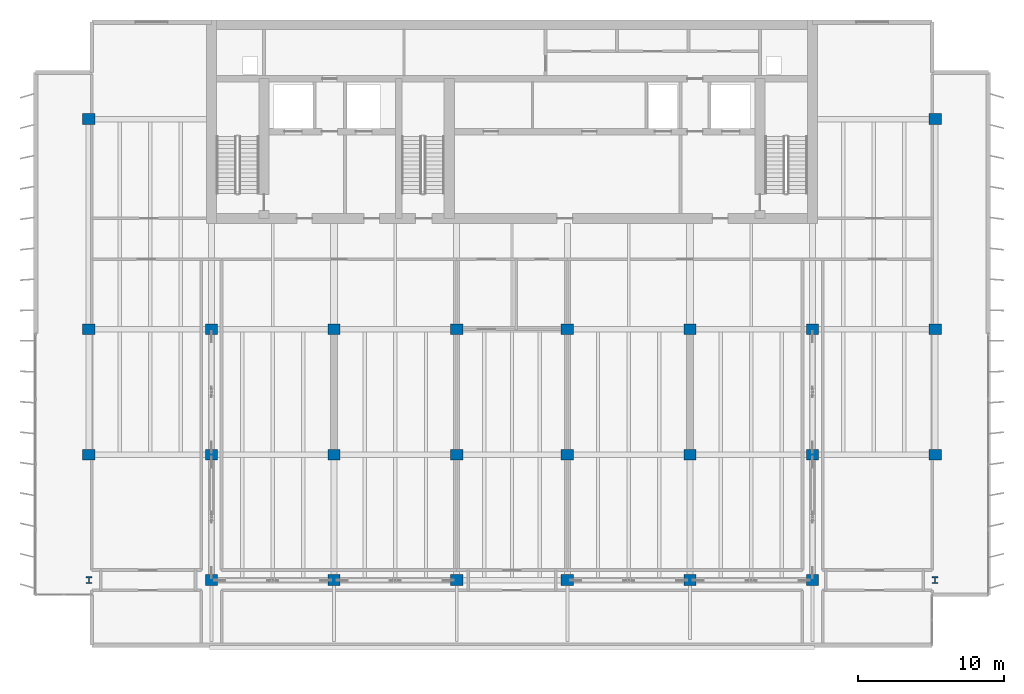
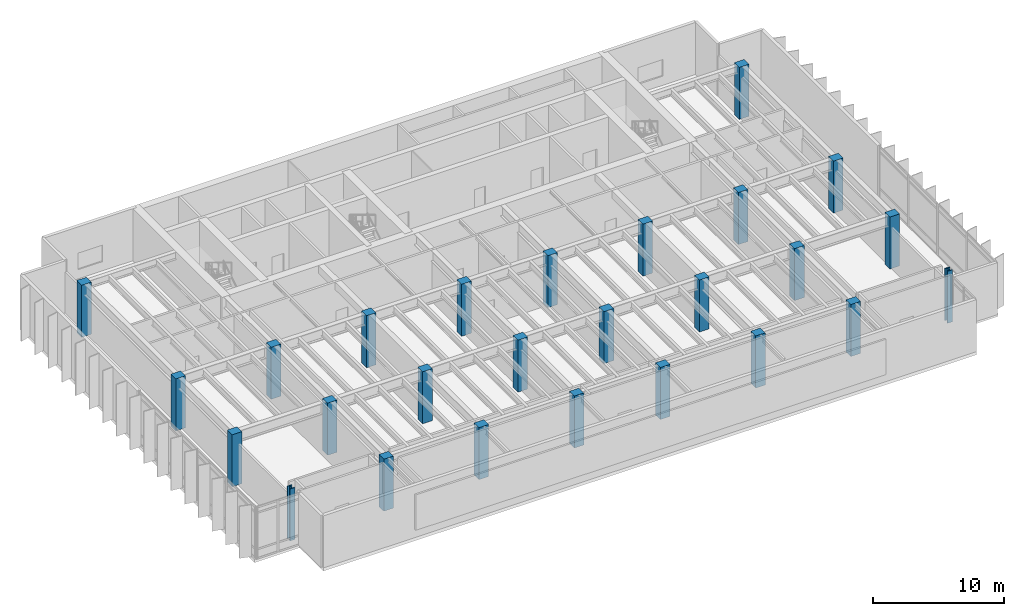
# One storey, part 1 of 23: 26 columns.
"""IFC4 building model written with IfcOpenShell, lengths in metres."""

from ifc_helpers import new_model, si_unit, direction, frame, origin, origin_2d, place, context, subcontext, project, spatial, rectangle, i_section, extrude, material, material_profile, profile_set, type_object, element, save


model = new_model("IFC4")

# Units and contexts
model_context = context("Model", 3, precision=1e-05, world=origin(), true_north=direction((0.0, 1.0)))
body_context = subcontext(model_context, "Body", "Model", "MODEL_VIEW")
ifc_project = project(units=[si_unit("LENGTHUNIT", "METRE"), si_unit("AREAUNIT", "SQUARE_METRE"), si_unit("VOLUMEUNIT", "CUBIC_METRE"), si_unit("PLANEANGLEUNIT", "RADIAN"), si_unit("MASSUNIT", "GRAM", prefix="KILO")], contexts=[model_context])

# Site, building, storey
site_placement = place(None, origin())
site = spatial("IfcSite", under=ifc_project, at=site_placement, CompositionType="ELEMENT")
building_placement = place(site_placement, origin())
building = spatial("IfcBuilding", under=site, at=building_placement, Name="Caelmar Bay Residences", CompositionType="ELEMENT")
storey_placement = place(building_placement, frame((0.0, 0.0, 221.39990234375)))
storey = spatial("IfcBuildingStorey", under=building, at=storey_placement, Name="L62", CompositionType="ELEMENT", Elevation=221.39990234375)

# Columns
ifc_material_1 = material(Name="Concrete f'c 55 MPa (8,000 psi)", Category="concrete")
ifc_material_profile_1 = material_profile(ifc_material_1, rectangle(XDim=0.85009765625, YDim=0.75, at=origin_2d()), Name="RC-COL-850X750")
ifc_profile_set_1 = profile_set([ifc_material_profile_1], Name="Concrete f'c 55 MPa (8,000 psi)")
column_type_1 = type_object("IfcColumnType", Name="COL-RC-850X750", PredefinedType="COLUMN", material=ifc_profile_set_1)
for number, where, z_axis, x_axis, name in (
    (1, (18.300048828125, 12.199951171875, 0.0), (0.0, 0.0, 1.0), (1.0, 0.0, 0.0), "L62 Column (18.30,12.20)"),
    (2, (26.699951171875, 12.199951171875, 0.0), (0.0, 0.0, 1.0), (1.0, 0.0, 0.0), "L62 Column (26.70,12.20)"),
    (3, (35.10009765625, 12.199951171875, 0.0), (0.0, 0.0, 1.0), (1.0, 0.0, 0.0), "L62 Column (35.10,12.20)"),
    (4, (42.699951171875, 12.199951171875, 0.0), (0.0, 0.0, 1.0), (1.0, 0.0, 0.0), "L62 Column (42.70,12.20)"),
    (5, (51.10009765625, 12.199951171875, 0.0), (0.0, 0.0, 1.0), (1.0, 0.0, 0.0), "L62 Column (51.10,12.20)"),
    (6, (59.5, 12.199951171875, 0.0), (0.0, 0.0, 1.0), (1.0, 0.0, 0.0), "L62 Column (59.50,12.20)"),
    (7, (9.89990234375, 20.800048828125, 0.0), (0.0, 0.0, 1.0), (1.0, 0.0, 0.0), "L62 Column (9.90,20.80)"),
    (8, (18.300048828125, 20.800048828125, 0.0), (0.0, 0.0, 1.0), (1.0, 0.0, 0.0), "L62 Column (18.30,20.80)"),
    (9, (26.699951171875, 20.800048828125, 0.0), (0.0, 0.0, 1.0), (1.0, 0.0, 0.0), "L62 Column (26.70,20.80)"),
    (10, (35.10009765625, 20.800048828125, 0.0), (0.0, 0.0, 1.0), (1.0, 0.0, 0.0), "L62 Column (35.10,20.80)"),
    (11, (42.699951171875, 20.800048828125, 0.0), (0.0, 0.0, 1.0), (1.0, 0.0, 0.0), "L62 Column (42.70,20.80)"),
    (12, (51.10009765625, 20.800048828125, 0.0), (0.0, 0.0, 1.0), (1.0, 0.0, 0.0), "L62 Column (51.10,20.80)"),
    (13, (59.5, 20.800048828125, 0.0), (0.0, 0.0, 1.0), (1.0, 0.0, 0.0), "L62 Column (59.50,20.80)"),
    (14, (67.89990234375, 20.800048828125, 0.0), (0.0, 0.0, 1.0), (1.0, 0.0, 0.0), "L62 Column (67.90,20.80)"),
    (15, (9.89990234375, 29.39990234375, 0.0), (0.0, 0.0, 1.0), (1.0, 0.0, 0.0), "L62 Column (9.90,29.40)"),
    (16, (18.300048828125, 29.39990234375, 0.0), (0.0, 0.0, 1.0), (1.0, 0.0, 0.0), "L62 Column (18.30,29.40)"),
    (17, (26.699951171875, 29.39990234375, 0.0), (0.0, 0.0, 1.0), (1.0, 0.0, 0.0), "L62 Column (26.70,29.40)"),
    (18, (35.10009765625, 29.39990234375, 0.0), (0.0, 0.0, 1.0), (1.0, 0.0, 0.0), "L62 Column (35.10,29.40)"),
    (19, (42.699951171875, 29.39990234375, 0.0), (0.0, 0.0, 1.0), (1.0, 0.0, 0.0), "L62 Column (42.70,29.40)"),
    (20, (51.10009765625, 29.39990234375, 0.0), (0.0, 0.0, 1.0), (1.0, 0.0, 0.0), "L62 Column (51.10,29.40)"),
    (21, (59.5, 29.39990234375, 0.0), (0.0, 0.0, 1.0), (1.0, 0.0, 0.0), "L62 Column (59.50,29.40)"),
    (22, (67.89990234375, 29.39990234375, 0.0), (0.0, 0.0, 1.0), (1.0, 0.0, 0.0), "L62 Column (67.90,29.40)"),
    (23, (9.89990234375, 43.800048828125, 0.0), (0.0, 0.0, 1.0), (1.0, 0.0, 0.0), "L62 Column (9.90,43.80)"),
    (24, (67.89990234375, 43.800048828125, 0.0), (0.0, 0.0, 1.0), (1.0, 0.0, 0.0), "L62 Column (67.90,43.80)"),
):
    element("IfcColumn", number, at=place(storey_placement, frame(where, z_axis=z_axis, x_axis=x_axis)), inside=storey, type_object=column_type_1, Name=name, PredefinedType="COLUMN", context=body_context, shape_type="SweptSolid", body=[
        extrude(rectangle(XDim=0.85009765625, YDim=0.75, at=origin_2d()), origin(), (0.0, 0.0, 1.0), 4.85009765625),
    ])
ifc_material_2 = material(Name="Steel ASTM A992 Grade 50", Category="steel")
ifc_material_profile_2 = material_profile(ifc_material_2, i_section(OverallWidth=0.424072265625, OverallDepth=0.47509765625, WebThickness=0.047607421875, FlangeThickness=0.0771484375, FilletRadius=0.01513671875, at=origin_2d()), Name="W14X426")
ifc_profile_set_2 = profile_set([ifc_material_profile_2], Name="Steel ASTM A992 Grade 50")
column_type_2 = type_object("IfcColumnType", Name="COL-STL-W14X426", PredefinedType="COLUMN", material=ifc_profile_set_2)
for number, where, z_axis, x_axis, name in (
    (25, (9.89990234375, 12.199951171875, 0.0), (0.0, 0.0, 1.0), (1.0, 0.0, 0.0), "L62 Column (9.90,12.20)"),
    (26, (67.89990234375, 12.199951171875, 0.0), (0.0, 0.0, 1.0), (1.0, 0.0, 0.0), "L62 Column (67.90,12.20)"),
):
    element("IfcColumn", number, at=place(storey_placement, frame(where, z_axis=z_axis, x_axis=x_axis)), inside=storey, type_object=column_type_2, Name=name, PredefinedType="COLUMN", context=body_context, shape_type="SweptSolid", body=[
        extrude(i_section(OverallWidth=0.424072265625, OverallDepth=0.47509765625, WebThickness=0.047607421875, FlangeThickness=0.0771484375, FilletRadius=0.01513671875, at=origin_2d()), origin(), (0.0, 0.0, 1.0), 4.85009765625),
    ])

save(model, "model.ifc")
